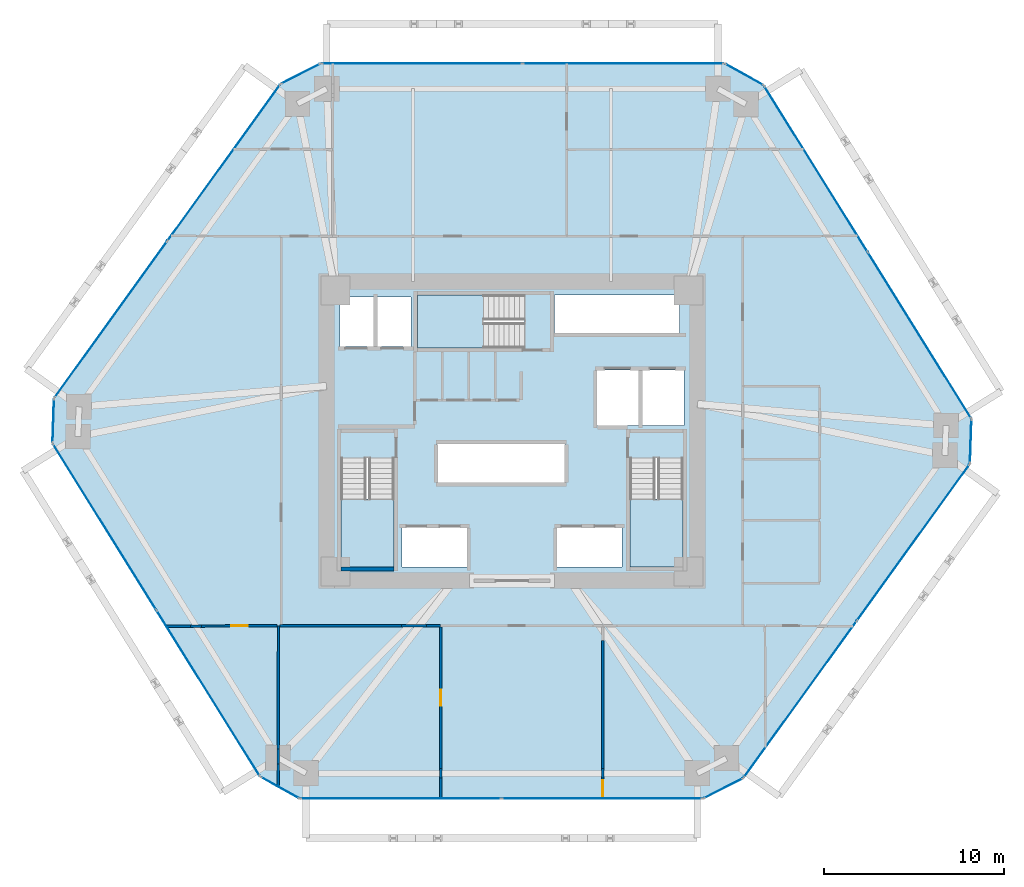
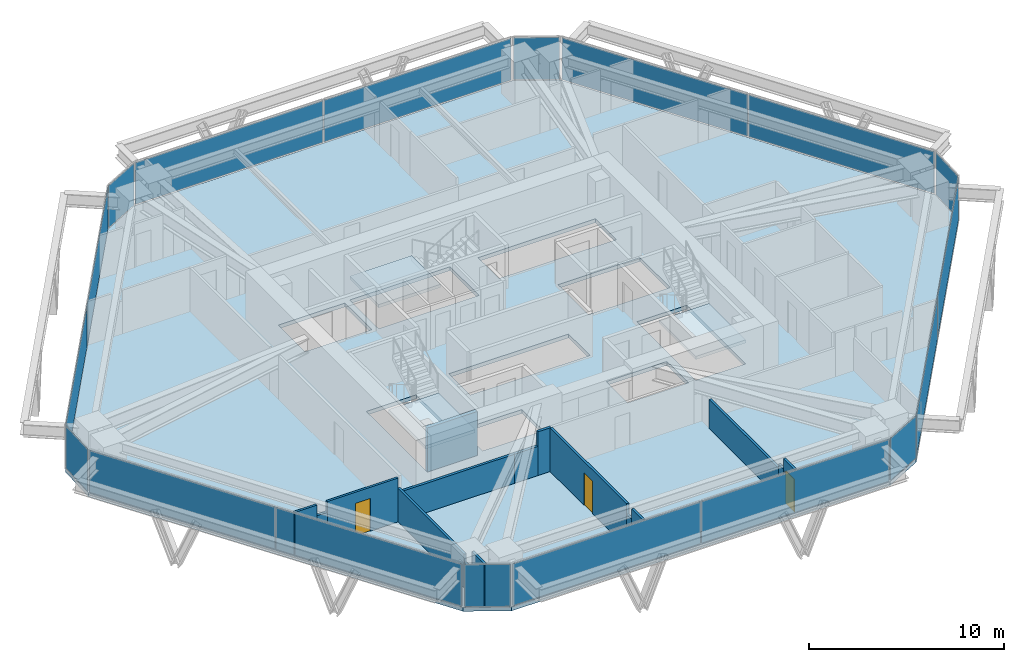
# One storey, part 10 of 15: 18 plates, 16 walls, 4 slabs, 3 doors, 3 openings, 15 elements without a shape of their own.
"""IFC4 building model written with IfcOpenShell, lengths in metres."""

import ifcopenshell
import ifcopenshell.guid

model = None  # the IFC model being written
_history = None  # IfcOwnerHistory: only IFC2X3 demands one
_inside = {}  # id of a spatial element -> (the spatial element, [elements in it])
_under = {}  # id of a project, library or spatial element -> (it, [spatial elements below it])
_declared = {}  # id of a project -> (the project, [libraries it declares])
_typed = {}  # id of a type object -> (the type object, [elements of that type])
_made_of = {}  # id of a material, layer set ... -> (it, [elements and type objects made of it])


def new_model(schema):
    """Start an empty IFC model of exactly this schema.

    Asked for "IFC4X3", IfcOpenShell would pick the latest addendum, in which some entities
    have other attributes; the version numbers below select the first issue.
    IFC2X3 requires an IfcOwnerHistory on every rooted entity: one is made here for all.
    """
    global model, _history
    if schema == "IFC4X3":
        model = ifcopenshell.file(schema_version=(4, 3, 0, 0))
    else:
        model = ifcopenshell.file(schema=schema)
    _inside.clear()
    _under.clear()
    _declared.clear()
    _typed.clear()
    _made_of.clear()
    _history = None
    if model.schema == "IFC2X3":
        org = make("IfcOrganization", Name="unknown")
        user = make(
            "IfcPersonAndOrganization",
            ThePerson=make("IfcPerson", FamilyName="unknown"),
            TheOrganization=org,
        )
        app = make(
            "IfcApplication",
            ApplicationDeveloper=org,
            Version="unknown",
            ApplicationFullName="unknown",
            ApplicationIdentifier="unknown",
        )
        _history = make(
            "IfcOwnerHistory",
            OwningUser=user,
            OwningApplication=app,
            ChangeAction="ADDED",
            CreationDate=0,
        )
    return model


def make(cls, **values):
    """One entity of the class cls with the attributes given. An attribute that is None is left unset."""
    return model.create_entity(
        cls, **{name: value for name, value in values.items() if value is not None}
    )


def rooted(cls, **values):
    """An entity with a GlobalId (a new one), such as an element, a storey or a relation."""
    return make(cls, GlobalId=ifcopenshell.guid.new(), OwnerHistory=_history, **values)


def si_unit(unit_type, name, prefix=None):
    """IfcSIUnit, for example si_unit("LENGTHUNIT", "METRE", prefix="MILLI")."""
    return make("IfcSIUnit", UnitType=unit_type, Prefix=prefix, Name=name)


def assignment(units):
    """IfcUnitAssignment: the units of a project."""
    return None if units is None else make("IfcUnitAssignment", Units=units)


def point(xyz):
    """IfcCartesianPoint."""
    return None if xyz is None else make("IfcCartesianPoint", Coordinates=xyz)


def direction(xyz):
    """IfcDirection."""
    return None if xyz is None else make("IfcDirection", DirectionRatios=xyz)


def frame(location, z_axis=None, x_axis=None):
    """IfcAxis2Placement3D, a coordinate frame: its origin and axes. An axis left out is left unset."""
    return make(
        "IfcAxis2Placement3D",
        Location=point(location),
        Axis=direction(z_axis),
        RefDirection=direction(x_axis),
    )


def frame_2d(location, x_axis=None):
    """IfcAxis2Placement2D, a coordinate frame in the plane: its origin and x axis."""
    return make(
        "IfcAxis2Placement2D", Location=point(location), RefDirection=direction(x_axis)
    )


def origin():
    """The frame at (0, 0, 0) with its axes left unset."""
    return frame((0.0, 0.0, 0.0))


def origin_2d():
    """The frame at (0, 0) in the plane with its x axis left unset."""
    return frame_2d((0.0, 0.0))


def place(relative_to, where):
    """IfcLocalPlacement: puts the frame where relative to a parent placement (None: the world)."""
    return make(
        "IfcLocalPlacement", PlacementRelTo=relative_to, RelativePlacement=where
    )


def context(
    kind, dimensions, precision=None, world=None, true_north=None, identifier=None
):
    """IfcGeometricRepresentationContext, for example the 3D "Model" context."""
    return make(
        "IfcGeometricRepresentationContext",
        ContextIdentifier=identifier,
        ContextType=kind,
        CoordinateSpaceDimension=dimensions,
        Precision=precision,
        WorldCoordinateSystem=world,
        TrueNorth=true_north,
    )


def subcontext(parent, identifier, kind, view, scale=None):
    """IfcGeometricRepresentationSubContext, for example "Body" below "Model"."""
    return make(
        "IfcGeometricRepresentationSubContext",
        ContextIdentifier=identifier,
        ContextType=kind,
        ParentContext=parent,
        TargetScale=scale,
        TargetView=view,
    )


def project(units=None, contexts=None):
    """IfcProject with its units and contexts."""
    return rooted(
        "IfcProject",
        Name="project",
        RepresentationContexts=contexts,
        UnitsInContext=assignment(units),
    )


def spatial(cls, under=None, at=None, **own):
    """A site, building, storey or space (cls), placed at a placement, below another one or the project."""
    s = rooted(cls, ObjectPlacement=at, **own)
    if under is not None:
        _under.setdefault(under.id(), (under, []))[1].append(s)
    return s


def polyline(points):
    """IfcPolyline through the points."""
    return make("IfcPolyline", Points=[point(p) for p in points])


def profile(cls, at=None, kind="AREA", **sizes):
    """A parametric profile (cls). Its sizes go by their IFC names, for example OverallWidth=200.0."""
    return make(cls, ProfileType=kind, Position=at, **sizes)


def rectangle(**sizes):
    """IfcRectangleProfileDef."""
    return profile("IfcRectangleProfileDef", **sizes)


def outline(outer, holes=None, kind="AREA"):
    """IfcArbitraryClosedProfileDef: a profile drawn as a closed curve; with holes, ...WithVoids."""
    if holes is None:
        return make("IfcArbitraryClosedProfileDef", ProfileType=kind, OuterCurve=outer)
    return make(
        "IfcArbitraryProfileDefWithVoids",
        ProfileType=kind,
        OuterCurve=outer,
        InnerCurves=holes,
    )


def extrude(swept, where, along, depth):
    """IfcExtrudedAreaSolid: the profile swept, set in the frame where, extruded along a direction by depth."""
    return make(
        "IfcExtrudedAreaSolid",
        SweptArea=swept,
        Position=where,
        ExtrudedDirection=direction(along),
        Depth=depth,
    )


def shape(context_of_items, identifier, shape_type, items):
    """IfcShapeRepresentation: the items that make up one representation, for example the "Body"."""
    return make(
        "IfcShapeRepresentation",
        ContextOfItems=context_of_items,
        RepresentationIdentifier=identifier,
        RepresentationType=shape_type,
        Items=items,
    )


def source(mapping_origin, context_of_items, identifier, shape_type, items):
    """IfcRepresentationMap: a shape defined once, which mapped items show again and again."""
    return make(
        "IfcRepresentationMap",
        MappingOrigin=mapping_origin,
        MappedRepresentation=shape(context_of_items, identifier, shape_type, items),
    )


def transform(
    local_origin,
    x_axis=None,
    y_axis=None,
    z_axis=None,
    scale=None,
    scale2=None,
    scale3=None,
    uniform=True,
):
    """IfcCartesianTransformationOperator3D, or its non-uniform kind. x_axis, y_axis, z_axis: its Axis1, 2, 3."""
    if uniform:
        return make(
            "IfcCartesianTransformationOperator3D",
            Axis1=direction(x_axis),
            Axis2=direction(y_axis),
            LocalOrigin=point(local_origin),
            Scale=scale,
            Axis3=direction(z_axis),
        )
    return make(
        "IfcCartesianTransformationOperator3DnonUniform",
        Axis1=direction(x_axis),
        Axis2=direction(y_axis),
        LocalOrigin=point(local_origin),
        Scale=scale,
        Axis3=direction(z_axis),
        Scale2=scale2,
        Scale3=scale3,
    )


def mapped(mapping_source, mapping_target):
    """IfcMappedItem: shows the shape of a source again, moved by a transform."""
    return make(
        "IfcMappedItem", MappingSource=mapping_source, MappingTarget=mapping_target
    )


def material(Name=None, Category=None):
    """IfcMaterial."""
    return make("IfcMaterial", Name=Name, Category=Category)


def layer(
    of_material, thickness, ventilated=None, Name=None, Category=None, Priority=None
):
    """IfcMaterialLayer: one layer of a wall or slab, of a material (None: an air gap)."""
    return make(
        "IfcMaterialLayer",
        Material=of_material,
        LayerThickness=thickness,
        IsVentilated=ventilated,
        Name=Name,
        Category=Category,
        Priority=Priority,
    )


def layer_set(layers, Name=None):
    """IfcMaterialLayerSet."""
    return make("IfcMaterialLayerSet", MaterialLayers=layers, LayerSetName=Name)


def made_of(thing, what):
    """Note that an element or type object is made of a material, layer set ...; save() writes the relation."""
    if what is not None:
        _made_of.setdefault(what.id(), (what, []))[1].append(thing)
    return thing


def type_object(cls, material=None, **own):
    """A type object (cls), such as IfcWallType, which elements share."""
    return made_of(rooted(cls, **own), material)


def type_shapes(of_type, sources):
    """Give a type object the sources (RepresentationMaps) that its elements show as mapped items."""
    of_type.RepresentationMaps = sources


def element(
    cls,
    number,
    at=None,
    inside=None,
    cuts=None,
    type_object=None,
    material=None,
    context=None,
    identifier="Body",
    shape_type=None,
    held_by="IfcProductDefinitionShape",
    body=None,
    shapes=None,
    **own,
):
    """One element of the class cls, such as IfcWall. Its Tag is "e" and its number.

    at: its placement. inside: the storey or other place that contains it. cuts: it is an
    opening in that element (IfcRelVoidsElement). A single representation is given by context,
    identifier, shape_type and body (its items); several are given by shapes. held_by: the class
    of the entity that holds the representations. save() writes the other relations.
    """
    e = rooted(cls, Tag="e%d" % number, ObjectPlacement=at, **own)
    if body is not None:
        shapes = [shape(context, identifier, shape_type, body)]
    if shapes is not None:
        e.Representation = make(held_by, Representations=shapes)
    if inside is not None:
        _inside.setdefault(inside.id(), (inside, []))[1].append(e)
    if cuts is not None:
        rooted(
            "IfcRelVoidsElement", RelatingBuildingElement=cuts, RelatedOpeningElement=e
        )
    if type_object is not None:
        _typed.setdefault(type_object.id(), (type_object, []))[1].append(e)
    return made_of(e, material)


def fill(opening, filler):
    """IfcRelFillsElement: the door or window that sits in an opening."""
    return rooted(
        "IfcRelFillsElement",
        RelatingOpeningElement=opening,
        RelatedBuildingElement=filler,
    )


def aggregate(whole, parts):
    """IfcRelAggregates: a whole, such as a stair, and the parts it consists of."""
    return rooted("IfcRelAggregates", RelatingObject=whole, RelatedObjects=parts)


def save(model, path):
    """Write the relations noted so far, then the file.

    IfcRelAggregates (storeys below a building ...), IfcRelContainedInSpatialStructure (elements
    in a storey), IfcRelDefinesByType, IfcRelAssociatesMaterial and IfcRelDeclares: one each for
    every whole, place, type object, material and project.
    """
    for whole, parts in _under.values():
        aggregate(whole, parts)
    for where, things in _inside.values():
        rooted(
            "IfcRelContainedInSpatialStructure",
            RelatedElements=things,
            RelatingStructure=where,
        )
    for kind, things in _typed.values():
        rooted("IfcRelDefinesByType", RelatedObjects=things, RelatingType=kind)
    for what, things in _made_of.values():
        rooted("IfcRelAssociatesMaterial", RelatedObjects=things, RelatingMaterial=what)
    for by, libraries in _declared.values():
        rooted("IfcRelDeclares", RelatingContext=by, RelatedDefinitions=libraries)
    model.write(path)


model = new_model("IFC4")

# Units and contexts
model_context = context("Model", 3, precision=1e-05, world=origin(), true_north=direction((0.0, 1.0)))
body_context = subcontext(model_context, "Body", "Model", "MODEL_VIEW")
ifc_project = project(units=[si_unit("LENGTHUNIT", "METRE"), si_unit("AREAUNIT", "SQUARE_METRE"), si_unit("VOLUMEUNIT", "CUBIC_METRE"), si_unit("PLANEANGLEUNIT", "RADIAN"), si_unit("MASSUNIT", "GRAM", prefix="KILO")], contexts=[model_context])

# Site, building, storey
site_placement = place(None, origin())
site = spatial("IfcSite", under=ifc_project, at=site_placement, CompositionType="ELEMENT")
building_placement = place(site_placement, origin())
building = spatial("IfcBuilding", under=site, at=building_placement, Name="Durnholm Broadcast Tower", CompositionType="ELEMENT")
storey_placement = place(building_placement, frame((0.0, 0.0, 81.300048828125)))
storey = spatial("IfcBuildingStorey", under=building, at=storey_placement, Name="L21", CompositionType="ELEMENT", Elevation=81.300048828125)

# Slab
ifc_material_1 = material(Name="Concrete C50/60", Category="concrete")
ifc_layer_1 = layer(ifc_material_1, 0.239990234375)
ifc_layer_set_1 = layer_set([ifc_layer_1], Name="Concrete C50/60")
slab_type_1 = type_object("IfcSlabType", Name="SLAB-FLR-240", PredefinedType="FLOOR", material=ifc_layer_set_1)
slab_1_placement = place(storey_placement, frame((0.0, 0.0, -0.239990234375)))
element("IfcSlab", 1, at=slab_1_placement, inside=storey, type_object=slab_type_1, Name="L21 structural floor slab", PredefinedType="FLOOR", context=body_context, shape_type="SweptSolid", body=[
    extrude(outline(polyline([(-13.9794921875, -19.186279296875), (-11.793701171875, -20.39990234375), (10.6201171875, -20.39990234375), (12.845703125, -19.260986328125), (25.419921875, -1.820556640625), (25.50439453125, 0.677978515625), (13.9794921875, 19.186279296875), (11.793701171875, 20.39990234375), (-10.6201171875, 20.39990234375), (-12.845703125, 19.260986328125), (-25.419921875, 1.820556640625), (-25.50439453125, -0.677978515625), (-13.9794921875, -19.186279296875)]), holes=[polyline([(-2.5, -5.35009765625), (-6.10009765625, -5.35009765625), (-6.10009765625, -7.550048828125), (-2.5, -7.550048828125), (-2.5, -5.35009765625)]), polyline([(6.10009765625, -5.35009765625), (2.5, -5.35009765625), (2.5, -7.550048828125), (6.10009765625, -7.550048828125), (6.10009765625, -5.35009765625)]), polyline([(-6.5400390625, -7.550048828125), (-6.5400390625, -1.5), (-9.5, -1.5), (-9.5, -7.550048828125), (-6.5400390625, -7.550048828125)]), polyline([(9.5, -7.550048828125), (9.5, -1.5), (6.5400390625, -1.5), (6.5400390625, -7.550048828125), (9.5, -7.550048828125)]), polyline([(2.949951171875, -0.699951171875), (-4.14990234375, -0.699951171875), (-4.14990234375, -2.89990234375), (2.949951171875, -2.89990234375), (2.949951171875, -0.699951171875)]), polyline([(9.550048828125, 3.39990234375), (4.699951171875, 3.39990234375), (4.699951171875, 0.300048828125), (9.550048828125, 0.300048828125), (9.550048828125, 3.39990234375)]), polyline([(-5.60009765625, 7.449951171875), (-9.550048828125, 7.449951171875), (-9.550048828125, 4.699951171875), (-5.60009765625, 4.699951171875), (-5.60009765625, 7.449951171875)]), polyline([(-5.25, 7.56005859375), (-5.25, 4.60009765625), (0.699951171875, 4.60009765625), (0.699951171875, 7.56005859375), (-5.25, 7.56005859375)]), polyline([(9.31005859375, 5.39990234375), (9.31005859375, 7.550048828125), (2.35009765625, 7.550048828125), (2.35009765625, 5.39990234375), (9.31005859375, 5.39990234375)])]), origin(), (0.0, 0.0, 1.0), 0.239990234375),
])

# Stair, slab
stair_type = type_object("IfcStairType", Name="STAIR-DL-18R1667", PredefinedType="HALF_TURN_STAIR", material=ifc_material_1)
stair_1_placement = place(storey_placement, origin())
stair_1 = element("IfcStair", 2, at=stair_1_placement, inside=storey, type_object=stair_type, Name="L21 ST-1", PredefinedType="HALF_TURN_STAIR")
ifc_layer_2 = layer(ifc_material_1, 0.199951171875)
ifc_layer_set_2 = layer_set([ifc_layer_2], Name="Concrete C50/60")
slab_type_2 = type_object("IfcSlabType", Name="SLAB-LND-200", PredefinedType="LANDING", material=ifc_layer_set_2)
slab_2_placement = place(storey_placement, frame((0.0, 0.0, 1.300048828125)))
slab_2 = element("IfcSlab", 3, at=slab_2_placement, type_object=slab_type_2, Name="ST-1 landing 1", PredefinedType="LANDING", context=body_context, shape_type="SweptSolid", body=[
    extrude(outline(polyline([(-9.5, -3.780029296875), (-9.5, -7.550048828125), (-6.5400390625, -7.550048828125), (-6.5400390625, -3.780029296875), (-9.5, -3.780029296875)])), origin(), (0.0, 0.0, 1.0), 0.199951171875),
])
aggregate(stair_1, [slab_2])

stair_2_placement = place(storey_placement, origin())
stair_2 = element("IfcStair", 4, at=stair_2_placement, inside=storey, type_object=stair_type, Name="L21 ST-2", PredefinedType="HALF_TURN_STAIR")
slab_3_placement = place(storey_placement, frame((0.0, 0.0, 1.300048828125)))
slab_3 = element("IfcSlab", 5, at=slab_3_placement, type_object=slab_type_2, Name="ST-2 landing 1", PredefinedType="LANDING", context=body_context, shape_type="SweptSolid", body=[
    extrude(outline(polyline([(6.5400390625, -3.780029296875), (6.5400390625, -7.550048828125), (9.5, -7.550048828125), (9.5, -3.780029296875), (6.5400390625, -3.780029296875)])), origin(), (0.0, 0.0, 1.0), 0.199951171875),
])
aggregate(stair_2, [slab_3])

stair_3_placement = place(storey_placement, origin())
stair_3 = element("IfcStair", 6, at=stair_3_placement, inside=storey, type_object=stair_type, Name="L21 ST-3", PredefinedType="HALF_TURN_STAIR")
slab_4_placement = place(storey_placement, frame((0.0, 0.0, 1.300048828125)))
slab_4 = element("IfcSlab", 7, at=slab_4_placement, type_object=slab_type_2, Name="ST-3 landing 1", PredefinedType="LANDING", context=body_context, shape_type="SweptSolid", body=[
    extrude(outline(polyline([(-1.580078125, 7.56005859375), (-5.25, 7.56005859375), (-5.25, 4.60009765625), (-1.580078125, 4.60009765625), (-1.580078125, 7.56005859375)])), origin(), (0.0, 0.0, 1.0), 0.199951171875),
])
aggregate(stair_3, [slab_4])

# Curtain wall, plate
ifc_material_2 = material(Name="Aluminium and Solar Control IGU", Category="aluminium")
ifc_layer_3 = layer(ifc_material_2, 0.1650390625)
ifc_layer_set_3 = layer_set([ifc_layer_3], Name="Aluminium and Solar Control IGU")
curtain_wall_type_1 = type_object("IfcCurtainWallType", Name="CW-SYS-5", PredefinedType="NOTDEFINED", material=ifc_layer_set_3)
curtain_wall_1_placement = place(storey_placement, origin())
curtain_wall_1 = element("IfcCurtainWall", 8, at=curtain_wall_1_placement, inside=storey, type_object=curtain_wall_type_1, Name="L21 curtain wall CW-CORNER CW-L21-CRN-01", PredefinedType="NOTDEFINED")
ifc_material_3 = material(Name="Low-E Laminated Insulating Glass", Category="glass")
ifc_layer_4 = layer(ifc_material_3, 0.030029296875)
ifc_layer_set_4 = layer_set([ifc_layer_4], Name="Low-E Laminated Insulating Glass")
plate_type_1 = type_object("IfcPlateType", Name="CW-SYS-5-PNL", PredefinedType="CURTAIN_PANEL", material=ifc_layer_set_4)
shared_shape_1 = source(origin(), body_context, "Body", "SweptSolid", [
    extrude(rectangle(XDim=2.3701171875, YDim=0.030029296875, at=origin_2d()), origin(), (0.0, 0.0, 1.0), 2.6298828125),
])
plate_1_placement = place(storey_placement, frame((-25.462158203125, 0.5712890625, 0.06494140625), z_axis=(0.0, 0.0, 1.0), x_axis=(0.033839569233, 0.999427277772, 0.0)))
plate_1 = element("IfcPlate", 9, at=plate_1_placement, type_object=plate_type_1, Name="CW-CORNER panel 1.1", PredefinedType="CURTAIN_PANEL", context=body_context, shape_type="MappedRepresentation", body=[
    mapped(shared_shape_1, transform((0.0, 0.0, 0.0), x_axis=(1.0, 0.0, 0.0), y_axis=(0.0, 1.0, 0.0), z_axis=(0.0, 0.0, 1.0), scale=1.0)),
])
aggregate(curtain_wall_1, [plate_1])

curtain_wall_2_placement = place(storey_placement, origin())
curtain_wall_2 = element("IfcCurtainWall", 10, at=curtain_wall_2_placement, inside=storey, type_object=curtain_wall_type_1, Name="L21 curtain wall CW-CORNER CW-L21-CRN-03", PredefinedType="NOTDEFINED")
plate_2_placement = place(storey_placement, frame((-11.73291015625, 19.83056640625, 0.06494140625), z_axis=(0.0, 0.0, 1.0), x_axis=(0.890187804512, 0.455593758406, 0.0)))
plate_2 = element("IfcPlate", 11, at=plate_2_placement, type_object=plate_type_1, Name="CW-CORNER panel 1.1", PredefinedType="CURTAIN_PANEL", context=body_context, shape_type="MappedRepresentation", body=[
    mapped(shared_shape_1, transform((0.0, 0.0, 0.0), x_axis=(1.0, 0.0, 0.0), y_axis=(0.0, 1.0, 0.0), z_axis=(0.0, 0.0, 1.0), scale=1.0)),
])
aggregate(curtain_wall_2, [plate_2])

curtain_wall_3_placement = place(storey_placement, origin())
curtain_wall_3 = element("IfcCurtainWall", 12, at=curtain_wall_3_placement, inside=storey, type_object=curtain_wall_type_1, Name="L21 curtain wall CW-CORNER CW-L21-CRN-07", PredefinedType="NOTDEFINED")
plate_3_placement = place(storey_placement, frame((25.462158203125, -0.5712890625, 0.06494140625), z_axis=(0.0, 0.0, 1.0), x_axis=(-0.033839569233, -0.999427277772, 0.0)))
plate_3 = element("IfcPlate", 13, at=plate_3_placement, type_object=plate_type_1, Name="CW-CORNER panel 1.1", PredefinedType="CURTAIN_PANEL", context=body_context, shape_type="MappedRepresentation", body=[
    mapped(shared_shape_1, transform((0.0, 0.0, 0.0), x_axis=(1.0, 0.0, 0.0), y_axis=(0.0, 1.0, 0.0), z_axis=(0.0, 0.0, 1.0), scale=1.0)),
])
aggregate(curtain_wall_3, [plate_3])

curtain_wall_4_placement = place(storey_placement, origin())
curtain_wall_4 = element("IfcCurtainWall", 14, at=curtain_wall_4_placement, inside=storey, type_object=curtain_wall_type_1, Name="L21 curtain wall CW-CORNER CW-L21-CRN-09", PredefinedType="NOTDEFINED")
plate_4_placement = place(storey_placement, frame((11.73291015625, -19.83056640625, 0.06494140625), z_axis=(0.0, 0.0, 1.0), x_axis=(-0.890187804512, -0.455593758406, 0.0)))
plate_4 = element("IfcPlate", 15, at=plate_4_placement, type_object=plate_type_1, Name="CW-CORNER panel 1.1", PredefinedType="CURTAIN_PANEL", context=body_context, shape_type="MappedRepresentation", body=[
    mapped(shared_shape_1, transform((0.0, 0.0, 0.0), x_axis=(1.0, 0.0, 0.0), y_axis=(0.0, 1.0, 0.0), z_axis=(0.0, 0.0, 1.0), scale=1.0)),
])
aggregate(curtain_wall_4, [plate_4])

# Curtain wall, plates
ifc_layer_5 = layer(ifc_material_2, 0.18994140625)
ifc_layer_set_5 = layer_set([ifc_layer_5], Name="Aluminium and Solar Control IGU")
curtain_wall_type_2 = type_object("IfcCurtainWallType", Name="CW-SYS-3", PredefinedType="NOTDEFINED", material=ifc_layer_set_5)
curtain_wall_5_placement = place(storey_placement, origin())
curtain_wall_5 = element("IfcCurtainWall", 16, at=curtain_wall_5_placement, inside=storey, type_object=curtain_wall_type_2, Name="L21 curtain wall CW-Z12-VIS CW-L21-F02", PredefinedType="NOTDEFINED")
ifc_layer_6 = layer(ifc_material_3, 0.031982421875)
ifc_layer_set_6 = layer_set([ifc_layer_6], Name="Low-E Laminated Insulating Glass")
plate_type_2 = type_object("IfcPlateType", Name="CW-SYS-3-PNL", PredefinedType="CURTAIN_PANEL", material=ifc_layer_set_6)
shared_shape_2 = source(origin(), body_context, "Body", "SweptSolid", [
    extrude(rectangle(XDim=10.645263671875, YDim=0.031982421875, at=origin_2d()), origin(), (0.0, 0.0, 1.0), 2.6201171875),
])
plate_5_placement = place(storey_placement, frame((-22.26611328125, 6.19482421875, 0.06982421875), z_axis=(0.0, 0.0, 1.0), x_axis=(0.584823496176, 0.81116057493, 0.0)))
plate_5 = element("IfcPlate", 17, at=plate_5_placement, type_object=plate_type_2, Name="CW-Z12-VIS panel 1.1", PredefinedType="CURTAIN_PANEL", context=body_context, shape_type="MappedRepresentation", body=[
    mapped(shared_shape_2, transform((0.0, 0.0, 0.0), x_axis=(1.0, 0.0, 0.0), y_axis=(0.0, 1.0, 0.0), z_axis=(0.0, 0.0, 1.0), scale=1.0)),
])
plate_6_placement = place(storey_placement, frame((-15.99951171875, 14.88671875, 0.06982421875), z_axis=(0.0, 0.0, 1.0), x_axis=(0.584823496176, 0.81116057493, 0.0)))
plate_6 = element("IfcPlate", 18, at=plate_6_placement, type_object=plate_type_2, Name="CW-Z12-VIS panel 2.1", PredefinedType="CURTAIN_PANEL", context=body_context, shape_type="MappedRepresentation", body=[
    mapped(shared_shape_2, transform((0.0, 0.0, 0.0), x_axis=(1.0, 0.0, 0.0), y_axis=(0.0, 1.0, 0.0), z_axis=(0.0, 0.0, 1.0), scale=1.0)),
])
aggregate(curtain_wall_5, [plate_5, plate_6])

curtain_wall_6_placement = place(storey_placement, origin())
curtain_wall_6 = element("IfcCurtainWall", 19, at=curtain_wall_6_placement, inside=storey, type_object=curtain_wall_type_2, Name="L21 curtain wall CW-Z12-VIS CW-L21-F08", PredefinedType="NOTDEFINED")
plate_7_placement = place(storey_placement, frame((22.26611328125, -6.19482421875, 0.06982421875), z_axis=(0.0, 0.0, 1.0), x_axis=(-0.584823496176, -0.81116057493, 0.0)))
plate_7 = element("IfcPlate", 20, at=plate_7_placement, type_object=plate_type_2, Name="CW-Z12-VIS panel 1.1", PredefinedType="CURTAIN_PANEL", context=body_context, shape_type="MappedRepresentation", body=[
    mapped(shared_shape_2, transform((0.0, 0.0, 0.0), x_axis=(1.0, 0.0, 0.0), y_axis=(0.0, 1.0, 0.0), z_axis=(0.0, 0.0, 1.0), scale=1.0)),
])
plate_8_placement = place(storey_placement, frame((15.99951171875, -14.88671875, 0.06982421875), z_axis=(0.0, 0.0, 1.0), x_axis=(-0.584823496176, -0.81116057493, 0.0)))
plate_8 = element("IfcPlate", 21, at=plate_8_placement, type_object=plate_type_2, Name="CW-Z12-VIS panel 2.1", PredefinedType="CURTAIN_PANEL", context=body_context, shape_type="MappedRepresentation", body=[
    mapped(shared_shape_2, transform((0.0, 0.0, 0.0), x_axis=(1.0, 0.0, 0.0), y_axis=(0.0, 1.0, 0.0), z_axis=(0.0, 0.0, 1.0), scale=1.0)),
])
aggregate(curtain_wall_6, [plate_7, plate_8])

curtain_wall_7_placement = place(storey_placement, origin())
curtain_wall_7 = element("IfcCurtainWall", 22, at=curtain_wall_7_placement, inside=storey, type_object=curtain_wall_type_2, Name="L21 curtain wall CW-Z12-VIS CW-L21-F04", PredefinedType="NOTDEFINED")
shared_shape_3 = source(origin(), body_context, "Body", "SweptSolid", [
    extrude(rectangle(XDim=11.10205078125, YDim=0.031982421875, at=origin_2d()), origin(), (0.0, 0.0, 1.0), 2.6201171875),
])
plate_9_placement = place(storey_placement, frame((-4.999267578125, 20.39990234375, 0.06982421875), z_axis=(0.0, 0.0, 1.0), x_axis=(1.0, 0.0, 0.0)))
plate_9 = element("IfcPlate", 23, at=plate_9_placement, type_object=plate_type_2, Name="CW-Z12-VIS panel 1.1", PredefinedType="CURTAIN_PANEL", context=body_context, shape_type="MappedRepresentation", body=[
    mapped(shared_shape_3, transform((0.0, 0.0, 0.0), x_axis=(1.0, 0.0, 0.0), y_axis=(0.0, 1.0, 0.0), z_axis=(0.0, 0.0, 1.0), scale=1.0)),
])
plate_10_placement = place(storey_placement, frame((6.1728515625, 20.39990234375, 0.06982421875), z_axis=(0.0, 0.0, 1.0), x_axis=(1.0, 0.0, 0.0)))
plate_10 = element("IfcPlate", 24, at=plate_10_placement, type_object=plate_type_2, Name="CW-Z12-VIS panel 2.1", PredefinedType="CURTAIN_PANEL", context=body_context, shape_type="MappedRepresentation", body=[
    mapped(shared_shape_3, transform((0.0, 0.0, 0.0), x_axis=(1.0, 0.0, 0.0), y_axis=(0.0, 1.0, 0.0), z_axis=(0.0, 0.0, 1.0), scale=1.0)),
])
aggregate(curtain_wall_7, [plate_9, plate_10])

curtain_wall_8_placement = place(storey_placement, origin())
curtain_wall_8 = element("IfcCurtainWall", 25, at=curtain_wall_8_placement, inside=storey, type_object=curtain_wall_type_2, Name="L21 curtain wall CW-Z12-VIS CW-L21-F10", PredefinedType="NOTDEFINED")
plate_11_placement = place(storey_placement, frame((4.999267578125, -20.39990234375, 0.06982421875), z_axis=(0.0, 0.0, 1.0), x_axis=(-1.0, 0.0, 0.0)))
plate_11 = element("IfcPlate", 26, at=plate_11_placement, type_object=plate_type_2, Name="CW-Z12-VIS panel 1.1", PredefinedType="CURTAIN_PANEL", context=body_context, shape_type="MappedRepresentation", body=[
    mapped(shared_shape_3, transform((0.0, 0.0, 0.0), x_axis=(1.0, 0.0, 0.0), y_axis=(0.0, 1.0, 0.0), z_axis=(0.0, 0.0, 1.0), scale=1.0)),
])
plate_12_placement = place(storey_placement, frame((-6.1728515625, -20.39990234375, 0.06982421875), z_axis=(0.0, 0.0, 1.0), x_axis=(-1.0, 0.0, 0.0)))
plate_12 = element("IfcPlate", 27, at=plate_12_placement, type_object=plate_type_2, Name="CW-Z12-VIS panel 2.1", PredefinedType="CURTAIN_PANEL", context=body_context, shape_type="MappedRepresentation", body=[
    mapped(shared_shape_3, transform((0.0, 0.0, 0.0), x_axis=(1.0, 0.0, 0.0), y_axis=(0.0, 1.0, 0.0), z_axis=(0.0, 0.0, 1.0), scale=1.0)),
])
aggregate(curtain_wall_8, [plate_11, plate_12])

# Curtain wall, plate
curtain_wall_9_placement = place(storey_placement, origin())
curtain_wall_9 = element("IfcCurtainWall", 28, at=curtain_wall_9_placement, inside=storey, type_object=curtain_wall_type_1, Name="L21 curtain wall CW-CORNER CW-L21-CRN-05", PredefinedType="NOTDEFINED")
shared_shape_4 = source(origin(), body_context, "Body", "SweptSolid", [
    extrude(rectangle(XDim=2.369873046875, YDim=0.030029296875, at=origin_2d()), origin(), (0.0, 0.0, 1.0), 2.6298828125),
])
type_shapes(plate_type_1, [shared_shape_1, shared_shape_4])
plate_13_placement = place(storey_placement, frame((12.88671875, 19.793212890625, 0.06494140625), z_axis=(0.0, 0.0, 1.0), x_axis=(0.874245941394, -0.485483299359, 0.0)))
plate_13 = element("IfcPlate", 29, at=plate_13_placement, type_object=plate_type_1, Name="CW-CORNER panel 1.1", PredefinedType="CURTAIN_PANEL", context=body_context, shape_type="MappedRepresentation", body=[
    mapped(shared_shape_4, transform((0.0, 0.0, 0.0), x_axis=(1.0, 0.0, 0.0), y_axis=(0.0, 1.0, 0.0), z_axis=(0.0, 0.0, 1.0), scale=1.0)),
])
aggregate(curtain_wall_9, [plate_13])

curtain_wall_10_placement = place(storey_placement, origin())
curtain_wall_10 = element("IfcCurtainWall", 30, at=curtain_wall_10_placement, inside=storey, type_object=curtain_wall_type_1, Name="L21 curtain wall CW-CORNER CW-L21-CRN-11", PredefinedType="NOTDEFINED")
plate_14_placement = place(storey_placement, frame((-12.88671875, -19.793212890625, 0.06494140625), z_axis=(0.0, 0.0, 1.0), x_axis=(-0.874245941394, 0.485483299359, 0.0)))
plate_14 = element("IfcPlate", 31, at=plate_14_placement, type_object=plate_type_1, Name="CW-CORNER panel 1.1", PredefinedType="CURTAIN_PANEL", context=body_context, shape_type="MappedRepresentation", body=[
    mapped(shared_shape_4, transform((0.0, 0.0, 0.0), x_axis=(1.0, 0.0, 0.0), y_axis=(0.0, 1.0, 0.0), z_axis=(0.0, 0.0, 1.0), scale=1.0)),
])
aggregate(curtain_wall_10, [plate_14])

# Curtain wall, plates
curtain_wall_11_placement = place(storey_placement, origin())
curtain_wall_11 = element("IfcCurtainWall", 32, at=curtain_wall_11_placement, inside=storey, type_object=curtain_wall_type_2, Name="L21 curtain wall CW-Z12-VIS CW-L21-F06", PredefinedType="NOTDEFINED")
shared_shape_5 = source(origin(), body_context, "Body", "SweptSolid", [
    extrude(rectangle(XDim=10.796630859375, YDim=0.031982421875, at=origin_2d()), origin(), (0.0, 0.0, 1.0), 2.6201171875),
])
type_shapes(plate_type_2, [shared_shape_2, shared_shape_3, shared_shape_5])
plate_15_placement = place(storey_placement, frame((16.869873046875, 14.54443359375, 0.06982421875), z_axis=(0.0, 0.0, 1.0), x_axis=(0.528592376777, -0.848875785503, 0.0)))
plate_15 = element("IfcPlate", 33, at=plate_15_placement, type_object=plate_type_2, Name="CW-Z12-VIS panel 1.1", PredefinedType="CURTAIN_PANEL", context=body_context, shape_type="MappedRepresentation", body=[
    mapped(shared_shape_5, transform((0.0, 0.0, 0.0), x_axis=(1.0, 0.0, 0.0), y_axis=(0.0, 1.0, 0.0), z_axis=(0.0, 0.0, 1.0), scale=1.0)),
])
plate_16_placement = place(storey_placement, frame((22.614013671875, 5.320068359375, 0.06982421875), z_axis=(0.0, 0.0, 1.0), x_axis=(0.528592376777, -0.848875785503, 0.0)))
plate_16 = element("IfcPlate", 34, at=plate_16_placement, type_object=plate_type_2, Name="CW-Z12-VIS panel 2.1", PredefinedType="CURTAIN_PANEL", context=body_context, shape_type="MappedRepresentation", body=[
    mapped(shared_shape_5, transform((0.0, 0.0, 0.0), x_axis=(1.0, 0.0, 0.0), y_axis=(0.0, 1.0, 0.0), z_axis=(0.0, 0.0, 1.0), scale=1.0)),
])
aggregate(curtain_wall_11, [plate_15, plate_16])

curtain_wall_12_placement = place(storey_placement, origin())
curtain_wall_12 = element("IfcCurtainWall", 35, at=curtain_wall_12_placement, inside=storey, type_object=curtain_wall_type_2, Name="L21 curtain wall CW-Z12-VIS CW-L21-F12", PredefinedType="NOTDEFINED")
plate_17_placement = place(storey_placement, frame((-16.869873046875, -14.54443359375, 0.06982421875), z_axis=(0.0, 0.0, 1.0), x_axis=(-0.528592376777, 0.848875785503, 0.0)))
plate_17 = element("IfcPlate", 36, at=plate_17_placement, type_object=plate_type_2, Name="CW-Z12-VIS panel 1.1", PredefinedType="CURTAIN_PANEL", context=body_context, shape_type="MappedRepresentation", body=[
    mapped(shared_shape_5, transform((0.0, 0.0, 0.0), x_axis=(1.0, 0.0, 0.0), y_axis=(0.0, 1.0, 0.0), z_axis=(0.0, 0.0, 1.0), scale=1.0)),
])
plate_18_placement = place(storey_placement, frame((-22.614013671875, -5.320068359375, 0.06982421875), z_axis=(0.0, 0.0, 1.0), x_axis=(-0.528592376777, 0.848875785503, 0.0)))
plate_18 = element("IfcPlate", 37, at=plate_18_placement, type_object=plate_type_2, Name="CW-Z12-VIS panel 2.1", PredefinedType="CURTAIN_PANEL", context=body_context, shape_type="MappedRepresentation", body=[
    mapped(shared_shape_5, transform((0.0, 0.0, 0.0), x_axis=(1.0, 0.0, 0.0), y_axis=(0.0, 1.0, 0.0), z_axis=(0.0, 0.0, 1.0), scale=1.0)),
])
aggregate(curtain_wall_12, [plate_17, plate_18])

# Walls
ifc_material_4 = material(Name="Gypsum Metal Stud Partition", Category="concrete")
ifc_layer_7 = layer(ifc_material_4, 0.135009765625)
ifc_layer_set_7 = layer_set([ifc_layer_7], Name="Gypsum Metal Stud Partition")
wall_type_1 = type_object("IfcWallType", Name="WALL-PART-135", PredefinedType="PARTITIONING", material=ifc_layer_set_7)
wall_1_placement = place(storey_placement, frame((-12.9599609375, -10.81005859375, 0.0), z_axis=(0.0, 0.0, 1.0), x_axis=(-0.002177166658, -0.99999762997, 0.0)))
element("IfcWall", 38, at=wall_1_placement, inside=storey, type_object=wall_type_1, Name="L21 room dividing partition 13.14", PredefinedType="PARTITIONING", context=body_context, shape_type="SweptSolid", body=[
    extrude(rectangle(XDim=6.84033203125, YDim=0.135009765625, at=frame_2d((3.420166015625, 0.0))), origin(), (0.0, 0.0, 1.0), 2.079833984375),
])
wall_2_placement = place(storey_placement, frame((-12.976806640625, -18.479248046875, 0.0), z_axis=(0.0, 0.0, 1.0), x_axis=(-0.002127243301, -0.999997737415, 0.0)))
element("IfcWall", 39, at=wall_2_placement, inside=storey, type_object=wall_type_1, Name="L21 room dividing partition 13.14", PredefinedType="PARTITIONING", context=body_context, shape_type="SweptSolid", body=[
    extrude(rectangle(XDim=1.262451171875, YDim=0.135009765625, at=frame_2d((0.63134765625, 0.0))), origin(), (0.0, 0.0, 1.0), 2.744873046875),
])
wall_3_placement = place(storey_placement, frame((-12.974853515625, -17.650390625, 0.0), z_axis=(0.0, 0.0, 1.0), x_axis=(-0.002356399938, -0.999997223686, 0.0)))
element("IfcWall", 40, at=wall_3_placement, inside=storey, type_object=wall_type_1, Name="L21 room dividing partition 13.14", PredefinedType="PARTITIONING", context=body_context, shape_type="SweptSolid", body=[
    extrude(rectangle(XDim=0.828857421875, YDim=0.135009765625, at=frame_2d((0.41455078125, 0.0))), origin(), (0.0, 0.0, 1.0), 1.5771484375),
])
wall_4_placement = place(storey_placement, frame((-19.18212890625, -10.831298828125, 0.0), z_axis=(0.0, 0.0, 1.0), x_axis=(0.99999396086, 0.003475376853, 0.0)))
element("IfcWall", 41, at=wall_4_placement, inside=storey, type_object=wall_type_1, Name="L21 room dividing partition 13.18", PredefinedType="PARTITIONING", context=body_context, shape_type="SweptSolid", body=[
    extrude(rectangle(XDim=1.334716796875, YDim=0.135009765625, at=frame_2d((0.66748046875, 0.0))), origin(), (0.0, 0.0, 1.0), 2.744873046875),
])

# Wall, opening, door
wall_5_placement = place(storey_placement, frame((-17.225341796875, -10.824462890625, 0.0), z_axis=(0.0, 0.0, 1.0), x_axis=(0.999994299971, 0.003376392444, 0.0)))
wall_5 = element("IfcWall", 42, at=wall_5_placement, inside=storey, type_object=wall_type_1, Name="L21 room dividing partition 13.18", PredefinedType="PARTITIONING", context=body_context, shape_type="SweptSolid", body=[
    extrude(rectangle(XDim=4.19384765625, YDim=0.135009765625, at=frame_2d((2.096923828125, 0.0))), origin(), (0.0, 0.0, 1.0), 2.744873046875),
])
opening_1_placement = place(wall_5_placement, frame((1.64697265625, 0.0, 0.0)))
opening_1 = element("IfcOpeningElement", 43, at=opening_1_placement, cuts=wall_5, Name="Opening DW-90L", PredefinedType="OPENING", context=body_context, shape_type="SweptSolid", body=[
    extrude(rectangle(XDim=0.89990234375, YDim=2.050048828125, at=frame_2d((0.449951171875, 1.02490234375))), frame((0.0, 0.07763671875, 0.0), z_axis=(0.0, -1.0, 0.0), x_axis=(1.0, 0.0, 0.0)), (0.0, 0.0, 1.0), 0.155029296875),
])
ifc_material_5 = material(Name="Laminate Restroom Door", Category="steel")
ifc_layer_8 = layer(ifc_material_5, 0.050048828125)
ifc_layer_set_8 = layer_set([ifc_layer_8], Name="Laminate Restroom Door")
door_type = type_object("IfcDoorType", Name="DOOR-WC-900L", OperationType="NOTDEFINED", PredefinedType="DOOR", material=ifc_layer_set_8)
shared_shape_6 = source(origin(), body_context, "Body", "SweptSolid", [
    extrude(rectangle(XDim=0.89990234375, YDim=2.050048828125, at=frame_2d((0.449951171875, 1.02490234375))), frame((0.0, 0.02490234375, 0.0), z_axis=(0.0, -1.0, 0.0), x_axis=(1.0, 0.0, 0.0)), (0.0, 0.0, 1.0), 0.050048828125),
])
type_shapes(door_type, [shared_shape_6])
door_1_placement = place(opening_1_placement, origin())
door_1 = element("IfcDoor", 44, at=door_1_placement, inside=storey, type_object=door_type, Name="L21 Chief Editor Office connecting door", OperationType="SINGLE_SWING_LEFT", OverallHeight=2.050048828125, OverallWidth=0.89990234375, PredefinedType="DOOR", context=body_context, shape_type="MappedRepresentation", body=[
    mapped(shared_shape_6, transform((0.0, 0.0, 0.0), x_axis=(1.0, 0.0, 0.0), y_axis=(0.0, 1.0, 0.0), z_axis=(0.0, 0.0, 1.0), scale=1.0)),
])
fill(opening_1, door_1)

# Wall
wall_6_placement = place(storey_placement, frame((-17.847412109375, -10.82666015625, 0.0), z_axis=(0.0, 0.0, 1.0), x_axis=(0.999993761903, 0.00353216007, 0.0)))
element("IfcWall", 45, at=wall_6_placement, inside=storey, type_object=wall_type_1, Name="L21 room dividing partition 13.18", PredefinedType="PARTITIONING", context=body_context, shape_type="SweptSolid", body=[
    extrude(rectangle(XDim=0.6220703125, YDim=0.135009765625, at=frame_2d((0.31103515625, 0.0))), origin(), (0.0, 0.0, 1.0), 2.079833984375),
])

# Wall, opening, door
wall_7_placement = place(storey_placement, frame((-3.9599609375, -10.888916015625, 0.0), z_axis=(0.0, 0.0, 1.0), x_axis=(0.0, -1.0, 0.0)))
wall_7 = element("IfcWall", 46, at=wall_7_placement, inside=storey, type_object=wall_type_1, Name="L21 room dividing partition 14.15", PredefinedType="PARTITIONING", context=body_context, shape_type="SweptSolid", body=[
    extrude(rectangle(XDim=7.8466796875, YDim=0.135009765625, at=frame_2d((3.92333984375, 0.0))), origin(), (0.0, 0.0, 1.0), 2.744873046875),
])
opening_2_placement = place(wall_7_placement, frame((3.47314453125, 0.0, 0.0)))
opening_2 = element("IfcOpeningElement", 47, at=opening_2_placement, cuts=wall_7, Name="Opening DW-90L", PredefinedType="OPENING", context=body_context, shape_type="SweptSolid", body=[
    extrude(rectangle(XDim=0.89990234375, YDim=2.050048828125, at=frame_2d((0.449951171875, 1.02490234375))), frame((0.0, 0.07763671875, 0.0), z_axis=(0.0, -1.0, 0.0), x_axis=(1.0, 0.0, 0.0)), (0.0, 0.0, 1.0), 0.155029296875),
])
door_2_placement = place(opening_2_placement, origin())
door_2 = element("IfcDoor", 48, at=door_2_placement, inside=storey, type_object=door_type, Name="L21 Digital Lab Office connecting door", OperationType="SINGLE_SWING_LEFT", OverallHeight=2.050048828125, OverallWidth=0.89990234375, PredefinedType="DOOR", context=body_context, shape_type="MappedRepresentation", body=[
    mapped(shared_shape_6, transform((0.0, 0.0, 0.0), x_axis=(1.0, 0.0, 0.0), y_axis=(0.0, 1.0, 0.0), z_axis=(0.0, 0.0, 1.0), scale=1.0)),
])
fill(opening_2, door_2)

# Walls
wall_8_placement = place(storey_placement, frame((-3.9599609375, -19.264404296875, 0.0), z_axis=(0.0, 0.0, 1.0), x_axis=(0.0, -1.0, 0.0)))
element("IfcWall", 49, at=wall_8_placement, inside=storey, type_object=wall_type_1, Name="L21 room dividing partition 14.15", PredefinedType="PARTITIONING", context=body_context, shape_type="SweptSolid", body=[
    extrude(rectangle(XDim=1.135498046875, YDim=0.135009765625, at=frame_2d((0.56787109375, 0.0))), origin(), (0.0, 0.0, 1.0), 2.744873046875),
])
wall_9_placement = place(storey_placement, frame((-3.9599609375, -18.735595703125, 0.0), z_axis=(0.0, 0.0, 1.0), x_axis=(0.0, -1.0, 0.0)))
element("IfcWall", 50, at=wall_9_placement, inside=storey, type_object=wall_type_1, Name="L21 room dividing partition 14.15", PredefinedType="PARTITIONING", context=body_context, shape_type="SweptSolid", body=[
    extrude(rectangle(XDim=0.52880859375, YDim=0.135009765625, at=frame_2d((0.264404296875, 0.0))), origin(), (0.0, 0.0, 1.0), 2.079833984375),
])
wall_10_placement = place(storey_placement, frame((5.0400390625, -11.626708984375, 0.0), z_axis=(0.0, 0.0, 1.0), x_axis=(0.0, -1.0, 0.0)))
element("IfcWall", 51, at=wall_10_placement, inside=storey, type_object=wall_type_1, Name="L21 room dividing partition 15.16", PredefinedType="PARTITIONING", context=body_context, shape_type="SweptSolid", body=[
    extrude(rectangle(XDim=7.10888671875, YDim=0.135009765625, at=frame_2d((3.554443359375, 0.0))), origin(), (0.0, 0.0, 1.0), 1.830078125),
])

# Wall, opening, door
wall_11_placement = place(storey_placement, frame((5.0400390625, -19.264404296875, 0.0), z_axis=(0.0, 0.0, 1.0), x_axis=(0.0, -1.0, 0.0)))
wall_11 = element("IfcWall", 52, at=wall_11_placement, inside=storey, type_object=wall_type_1, Name="L21 room dividing partition 15.16", PredefinedType="PARTITIONING", context=body_context, shape_type="SweptSolid", body=[
    extrude(rectangle(XDim=1.135498046875, YDim=0.135009765625, at=frame_2d((0.56787109375, 0.0))), origin(), (0.0, 0.0, 1.0), 2.744873046875),
])
opening_3_placement = place(wall_11_placement, frame((0.11767578125, 0.0, 0.0)))
opening_3 = element("IfcOpeningElement", 53, at=opening_3_placement, cuts=wall_11, Name="Opening DW-90L", PredefinedType="OPENING", context=body_context, shape_type="SweptSolid", body=[
    extrude(rectangle(XDim=0.89990234375, YDim=2.050048828125, at=frame_2d((0.449951171875, 1.02490234375))), frame((0.0, 0.07763671875, 0.0), z_axis=(0.0, -1.0, 0.0), x_axis=(1.0, 0.0, 0.0)), (0.0, 0.0, 1.0), 0.155029296875),
])
door_3_placement = place(opening_3_placement, origin())
door_3 = element("IfcDoor", 54, at=door_3_placement, inside=storey, type_object=door_type, Name="L21 Open Plan Broadcast Workspace 4 connecting door", OperationType="SINGLE_SWING_LEFT", OverallHeight=2.050048828125, OverallWidth=0.89990234375, PredefinedType="DOOR", context=body_context, shape_type="MappedRepresentation", body=[
    mapped(shared_shape_6, transform((0.0, 0.0, 0.0), x_axis=(1.0, 0.0, 0.0), y_axis=(0.0, 1.0, 0.0), z_axis=(0.0, 0.0, 1.0), scale=1.0)),
])
fill(opening_3, door_3)

# Walls
wall_12_placement = place(storey_placement, frame((5.0400390625, -18.735595703125, 0.0), z_axis=(0.0, 0.0, 1.0), x_axis=(0.0, -1.0, 0.0)))
element("IfcWall", 55, at=wall_12_placement, inside=storey, type_object=wall_type_1, Name="L21 room dividing partition 15.16", PredefinedType="PARTITIONING", context=body_context, shape_type="SweptSolid", body=[
    extrude(rectangle(XDim=0.52880859375, YDim=0.135009765625, at=frame_2d((0.264404296875, 0.0))), origin(), (0.0, 0.0, 1.0), 2.079833984375),
])
ifc_material_6 = material(Name="Acoustic Gypsum Stud Partition", Category="concrete")
ifc_layer_9 = layer(ifc_material_6, 0.14990234375)
ifc_layer_set_9 = layer_set([ifc_layer_9], Name="Acoustic Gypsum Stud Partition")
wall_type_2 = type_object("IfcWallType", Name="WALL-PART-150", PredefinedType="PARTITIONING", material=ifc_layer_set_9)
wall_13_placement = place(storey_placement, frame((-12.889892578125, -10.81005859375, 0.0), z_axis=(0.0, 0.0, 1.0), x_axis=(1.0, 0.0, 0.0)))
element("IfcWall", 56, at=wall_13_placement, inside=storey, type_object=wall_type_2, Name="L21 Digital Lab Office corridor partition", PredefinedType="PARTITIONING", context=body_context, shape_type="SweptSolid", body=[
    extrude(rectangle(XDim=6.768310546875, YDim=0.14990234375, at=frame_2d((3.38427734375, 0.0))), origin(), (0.0, 0.0, 1.0), 1.830078125),
])
wall_14_placement = place(storey_placement, frame((-4.749755859375, -10.81005859375, 0.0), z_axis=(0.0, 0.0, 1.0), x_axis=(1.0, 0.0, 0.0)))
element("IfcWall", 57, at=wall_14_placement, inside=storey, type_object=wall_type_2, Name="L21 Digital Lab Office corridor partition", PredefinedType="PARTITIONING", context=body_context, shape_type="SweptSolid", body=[
    extrude(rectangle(XDim=0.789794921875, YDim=0.14990234375, at=frame_2d((0.39501953125, 0.0))), origin(), (0.0, 0.0, 1.0), 2.744873046875),
])
wall_15_placement = place(storey_placement, frame((-6.12158203125, -10.81005859375, 0.0), z_axis=(0.0, 0.0, 1.0), x_axis=(1.0, 0.0, 0.0)))
element("IfcWall", 58, at=wall_15_placement, inside=storey, type_object=wall_type_2, Name="L21 Digital Lab Office corridor partition", PredefinedType="PARTITIONING", context=body_context, shape_type="SweptSolid", body=[
    extrude(rectangle(XDim=1.371826171875, YDim=0.14990234375, at=frame_2d((0.68603515625, 0.0))), origin(), (0.0, 0.0, 1.0), 1.830078125),
])
ifc_layer_10 = layer(ifc_material_1, 0.219970703125)
ifc_layer_set_10 = layer_set([ifc_layer_10], Name="Concrete C50/60")
wall_type_3 = type_object("IfcWallType", Name="WALL-SW-220", PredefinedType="SHEAR", material=ifc_layer_set_10)
wall_16_placement = place(storey_placement, frame((-9.5, -7.659912109375, -0.239990234375), z_axis=(0.0, 0.0, 1.0), x_axis=(1.0, 0.0, 0.0)))
element("IfcWall", 59, at=wall_16_placement, inside=storey, type_object=wall_type_3, Name="L21 stair ST-1 structural shaft wall S", PredefinedType="SHEAR", context=body_context, shape_type="SweptSolid", body=[
    extrude(rectangle(XDim=2.9599609375, YDim=0.219970703125, at=frame_2d((1.47998046875, 0.0))), origin(), (0.0, 0.0, 1.0), 3.0),
])

save(model, "model.ifc")
